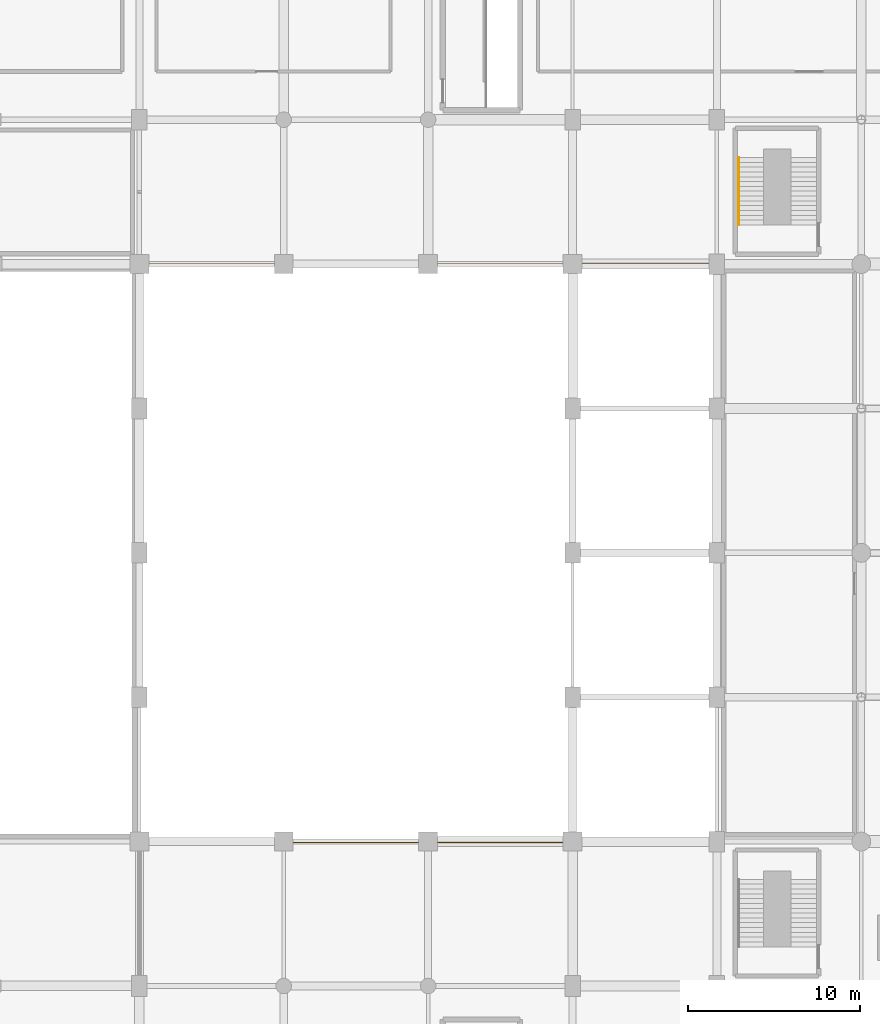
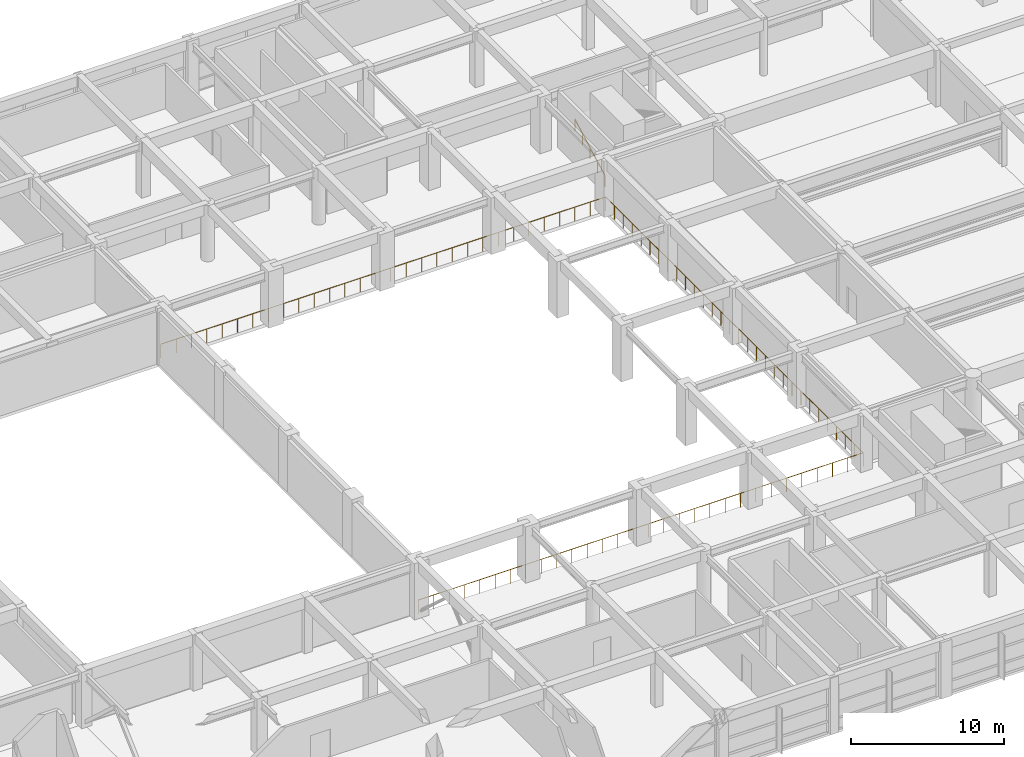
# One storey, part 52 of 56: 2 railings.
"""IFC4 building model written with IfcOpenShell, lengths in metres."""

from ifc_helpers import new_model, si_unit, direction, frame, origin, origin_2d, place, context, subcontext, project, spatial, circle, extrude, material, type_object, element, save


model = new_model("IFC4")

# Units and contexts
model_context = context("Model", 3, precision=1e-05, world=origin(), true_north=direction((0.0, 1.0)))
body_context = subcontext(model_context, "Body", "Model", "MODEL_VIEW")
ifc_project = project(units=[si_unit("LENGTHUNIT", "METRE"), si_unit("AREAUNIT", "SQUARE_METRE"), si_unit("VOLUMEUNIT", "CUBIC_METRE"), si_unit("PLANEANGLEUNIT", "RADIAN"), si_unit("MASSUNIT", "GRAM", prefix="KILO")], contexts=[model_context])

# Site, building, storey
site_placement = place(None, origin())
site = spatial("IfcSite", under=ifc_project, at=site_placement, CompositionType="ELEMENT")
building_placement = place(site_placement, origin())
building = spatial("IfcBuilding", under=site, at=building_placement, Name="Xuanlan Plaza Opera House", CompositionType="ELEMENT")
storey_placement = place(building_placement, frame((0.0, 0.0, 18.89990234375)))
storey = spatial("IfcBuildingStorey", under=building, at=storey_placement, Name="L04", CompositionType="ELEMENT", Elevation=18.89990234375)

# Railings
ifc_material_1 = material(Name="Stainless Steel S30408 and Laminated Glass", Category="steel")
railing_type_1 = type_object("IfcRailingType", Name="INT-RL-GR03", PredefinedType="GUARDRAIL", material=ifc_material_1)
railing_1_placement = place(storey_placement, frame((67.25, 41.949951171875, 0.0)))
element("IfcRailing", 1, at=railing_1_placement, inside=storey, type_object=railing_type_1, Name="Auditorium Bowl Balcony Guardrail L04", PredefinedType="GUARDRAIL", context=body_context, shape_type="SweptSolid", body=[
    extrude(circle(Radius=0.02392578125, at=origin_2d()), frame((0.0, 0.0, 1.09619140625), z_axis=(1.0, 0.0, 0.0), x_axis=(0.0, 1.0, 0.0)), (0.0, 0.0, 1.0), 33.60009765625),
    extrude(circle(Radius=0.02392578125, at=origin_2d()), frame((33.60009765625, 0.0, 1.09619140625), z_axis=(0.0, 1.0, 0.0), x_axis=(-1.0, 0.0, 0.0)), (0.0, 0.0, 1.0), 33.699951171875),
    extrude(circle(Radius=0.02392578125, at=origin_2d()), frame((33.60009765625, 33.699951171875, 1.09619140625), z_axis=(-1.0, 0.0, 0.0), x_axis=(0.0, -1.0, 0.0)), (0.0, 0.0, 1.0), 33.60009765625),
    extrude(circle(Radius=0.02099609375, at=origin_2d()), origin(), (0.0, 0.0, 1.0), 1.072021484375),
    extrude(circle(Radius=0.02099609375, at=origin_2d()), frame((1.15869140625, 0.0, 0.0)), (0.0, 0.0, 1.0), 1.072021484375),
    extrude(circle(Radius=0.02099609375, at=origin_2d()), frame((2.317138671875, 0.0, 0.0)), (0.0, 0.0, 1.0), 1.072021484375),
    extrude(circle(Radius=0.02099609375, at=origin_2d()), frame((3.475830078125, 0.0, 0.0)), (0.0, 0.0, 1.0), 1.072021484375),
    extrude(circle(Radius=0.02099609375, at=origin_2d()), frame((4.634521484375, 0.0, 0.0)), (0.0, 0.0, 1.0), 1.072021484375),
    extrude(circle(Radius=0.02099609375, at=origin_2d()), frame((5.793212890625, 0.0, 0.0)), (0.0, 0.0, 1.0), 1.072021484375),
    extrude(circle(Radius=0.02099609375, at=origin_2d()), frame((6.95166015625, 0.0, 0.0)), (0.0, 0.0, 1.0), 1.072021484375),
    extrude(circle(Radius=0.02099609375, at=origin_2d()), frame((8.1103515625, 0.0, 0.0)), (0.0, 0.0, 1.0), 1.072021484375),
    extrude(circle(Radius=0.02099609375, at=origin_2d()), frame((9.26904296875, 0.0, 0.0)), (0.0, 0.0, 1.0), 1.072021484375),
    extrude(circle(Radius=0.02099609375, at=origin_2d()), frame((10.427734375, 0.0, 0.0)), (0.0, 0.0, 1.0), 1.072021484375),
    extrude(circle(Radius=0.02099609375, at=origin_2d()), frame((11.586181640625, 0.0, 0.0)), (0.0, 0.0, 1.0), 1.072021484375),
    extrude(circle(Radius=0.02099609375, at=origin_2d()), frame((12.744873046875, 0.0, 0.0)), (0.0, 0.0, 1.0), 1.072021484375),
    extrude(circle(Radius=0.02099609375, at=origin_2d()), frame((13.903564453125, 0.0, 0.0)), (0.0, 0.0, 1.0), 1.072021484375),
    extrude(circle(Radius=0.02099609375, at=origin_2d()), frame((15.06201171875, 0.0, 0.0)), (0.0, 0.0, 1.0), 1.072021484375),
    extrude(circle(Radius=0.02099609375, at=origin_2d()), frame((16.220703125, 0.0, 0.0)), (0.0, 0.0, 1.0), 1.072021484375),
    extrude(circle(Radius=0.02099609375, at=origin_2d()), frame((17.37939453125, 0.0, 0.0)), (0.0, 0.0, 1.0), 1.072021484375),
    extrude(circle(Radius=0.02099609375, at=origin_2d()), frame((18.5380859375, 0.0, 0.0)), (0.0, 0.0, 1.0), 1.072021484375),
    extrude(circle(Radius=0.02099609375, at=origin_2d()), frame((19.696533203125, 0.0, 0.0)), (0.0, 0.0, 1.0), 1.072021484375),
    extrude(circle(Radius=0.02099609375, at=origin_2d()), frame((20.855224609375, 0.0, 0.0)), (0.0, 0.0, 1.0), 1.072021484375),
    extrude(circle(Radius=0.02099609375, at=origin_2d()), frame((22.013916015625, 0.0, 0.0)), (0.0, 0.0, 1.0), 1.072021484375),
    extrude(circle(Radius=0.02099609375, at=origin_2d()), frame((23.17236328125, 0.0, 0.0)), (0.0, 0.0, 1.0), 1.072021484375),
    extrude(circle(Radius=0.02099609375, at=origin_2d()), frame((24.3310546875, 0.0, 0.0)), (0.0, 0.0, 1.0), 1.072021484375),
    extrude(circle(Radius=0.02099609375, at=origin_2d()), frame((25.48974609375, 0.0, 0.0)), (0.0, 0.0, 1.0), 1.072021484375),
    extrude(circle(Radius=0.02099609375, at=origin_2d()), frame((26.6484375, 0.0, 0.0)), (0.0, 0.0, 1.0), 1.072021484375),
    extrude(circle(Radius=0.02099609375, at=origin_2d()), frame((27.806884765625, 0.0, 0.0)), (0.0, 0.0, 1.0), 1.072021484375),
    extrude(circle(Radius=0.02099609375, at=origin_2d()), frame((28.965576171875, 0.0, 0.0)), (0.0, 0.0, 1.0), 1.072021484375),
    extrude(circle(Radius=0.02099609375, at=origin_2d()), frame((30.124267578125, 0.0, 0.0)), (0.0, 0.0, 1.0), 1.072021484375),
    extrude(circle(Radius=0.02099609375, at=origin_2d()), frame((31.282958984375, 0.0, 0.0)), (0.0, 0.0, 1.0), 1.072021484375),
    extrude(circle(Radius=0.02099609375, at=origin_2d()), frame((32.44140625, 0.0, 0.0)), (0.0, 0.0, 1.0), 1.072021484375),
    extrude(circle(Radius=0.02099609375, at=origin_2d()), frame((33.60009765625, 0.0, 0.0)), (0.0, 0.0, 1.0), 1.072021484375),
    extrude(circle(Radius=0.02099609375, at=origin_2d()), frame((33.60009765625, 1.162109375, 0.0)), (0.0, 0.0, 1.0), 1.072021484375),
    extrude(circle(Radius=0.02099609375, at=origin_2d()), frame((33.60009765625, 2.32421875, 0.0)), (0.0, 0.0, 1.0), 1.072021484375),
    extrude(circle(Radius=0.02099609375, at=origin_2d()), frame((33.60009765625, 3.486083984375, 0.0)), (0.0, 0.0, 1.0), 1.072021484375),
    extrude(circle(Radius=0.02099609375, at=origin_2d()), frame((33.60009765625, 4.648193359375, 0.0)), (0.0, 0.0, 1.0), 1.072021484375),
    extrude(circle(Radius=0.02099609375, at=origin_2d()), frame((33.60009765625, 5.810302734375, 0.0)), (0.0, 0.0, 1.0), 1.072021484375),
    extrude(circle(Radius=0.02099609375, at=origin_2d()), frame((33.60009765625, 6.972412109375, 0.0)), (0.0, 0.0, 1.0), 1.072021484375),
    extrude(circle(Radius=0.02099609375, at=origin_2d()), frame((33.60009765625, 8.134521484375, 0.0)), (0.0, 0.0, 1.0), 1.072021484375),
    extrude(circle(Radius=0.02099609375, at=origin_2d()), frame((33.60009765625, 9.296630859375, 0.0)), (0.0, 0.0, 1.0), 1.072021484375),
    extrude(circle(Radius=0.02099609375, at=origin_2d()), frame((33.60009765625, 10.45849609375, 0.0)), (0.0, 0.0, 1.0), 1.072021484375),
    extrude(circle(Radius=0.02099609375, at=origin_2d()), frame((33.60009765625, 11.62060546875, 0.0)), (0.0, 0.0, 1.0), 1.072021484375),
    extrude(circle(Radius=0.02099609375, at=origin_2d()), frame((33.60009765625, 12.78271484375, 0.0)), (0.0, 0.0, 1.0), 1.072021484375),
    extrude(circle(Radius=0.02099609375, at=origin_2d()), frame((33.60009765625, 13.94482421875, 0.0)), (0.0, 0.0, 1.0), 1.072021484375),
    extrude(circle(Radius=0.02099609375, at=origin_2d()), frame((33.60009765625, 15.10693359375, 0.0)), (0.0, 0.0, 1.0), 1.072021484375),
    extrude(circle(Radius=0.02099609375, at=origin_2d()), frame((33.60009765625, 16.26904296875, 0.0)), (0.0, 0.0, 1.0), 1.072021484375),
    extrude(circle(Radius=0.02099609375, at=origin_2d()), frame((33.60009765625, 17.430908203125, 0.0)), (0.0, 0.0, 1.0), 1.072021484375),
    extrude(circle(Radius=0.02099609375, at=origin_2d()), frame((33.60009765625, 18.593017578125, 0.0)), (0.0, 0.0, 1.0), 1.072021484375),
    extrude(circle(Radius=0.02099609375, at=origin_2d()), frame((33.60009765625, 19.755126953125, 0.0)), (0.0, 0.0, 1.0), 1.072021484375),
    extrude(circle(Radius=0.02099609375, at=origin_2d()), frame((33.60009765625, 20.917236328125, 0.0)), (0.0, 0.0, 1.0), 1.072021484375),
    extrude(circle(Radius=0.02099609375, at=origin_2d()), frame((33.60009765625, 22.079345703125, 0.0)), (0.0, 0.0, 1.0), 1.072021484375),
    extrude(circle(Radius=0.02099609375, at=origin_2d()), frame((33.60009765625, 23.241455078125, 0.0)), (0.0, 0.0, 1.0), 1.072021484375),
    extrude(circle(Radius=0.02099609375, at=origin_2d()), frame((33.60009765625, 24.4033203125, 0.0)), (0.0, 0.0, 1.0), 1.072021484375),
    extrude(circle(Radius=0.02099609375, at=origin_2d()), frame((33.60009765625, 25.5654296875, 0.0)), (0.0, 0.0, 1.0), 1.072021484375),
    extrude(circle(Radius=0.02099609375, at=origin_2d()), frame((33.60009765625, 26.7275390625, 0.0)), (0.0, 0.0, 1.0), 1.072021484375),
    extrude(circle(Radius=0.02099609375, at=origin_2d()), frame((33.60009765625, 27.8896484375, 0.0)), (0.0, 0.0, 1.0), 1.072021484375),
    extrude(circle(Radius=0.02099609375, at=origin_2d()), frame((33.60009765625, 29.0517578125, 0.0)), (0.0, 0.0, 1.0), 1.072021484375),
    extrude(circle(Radius=0.02099609375, at=origin_2d()), frame((33.60009765625, 30.2138671875, 0.0)), (0.0, 0.0, 1.0), 1.072021484375),
    extrude(circle(Radius=0.02099609375, at=origin_2d()), frame((33.60009765625, 31.375732421875, 0.0)), (0.0, 0.0, 1.0), 1.072021484375),
    extrude(circle(Radius=0.02099609375, at=origin_2d()), frame((33.60009765625, 32.537841796875, 0.0)), (0.0, 0.0, 1.0), 1.072021484375),
    extrude(circle(Radius=0.02099609375, at=origin_2d()), frame((33.60009765625, 33.699951171875, 0.0)), (0.0, 0.0, 1.0), 1.072021484375),
    extrude(circle(Radius=0.02099609375, at=origin_2d()), frame((32.44140625, 33.699951171875, 0.0)), (0.0, 0.0, 1.0), 1.072021484375),
    extrude(circle(Radius=0.02099609375, at=origin_2d()), frame((31.282958984375, 33.699951171875, 0.0)), (0.0, 0.0, 1.0), 1.072021484375),
    extrude(circle(Radius=0.02099609375, at=origin_2d()), frame((30.124267578125, 33.699951171875, 0.0)), (0.0, 0.0, 1.0), 1.072021484375),
    extrude(circle(Radius=0.02099609375, at=origin_2d()), frame((28.965576171875, 33.699951171875, 0.0)), (0.0, 0.0, 1.0), 1.072021484375),
    extrude(circle(Radius=0.02099609375, at=origin_2d()), frame((27.806884765625, 33.699951171875, 0.0)), (0.0, 0.0, 1.0), 1.072021484375),
    extrude(circle(Radius=0.02099609375, at=origin_2d()), frame((26.6484375, 33.699951171875, 0.0)), (0.0, 0.0, 1.0), 1.072021484375),
    extrude(circle(Radius=0.02099609375, at=origin_2d()), frame((25.48974609375, 33.699951171875, 0.0)), (0.0, 0.0, 1.0), 1.072021484375),
    extrude(circle(Radius=0.02099609375, at=origin_2d()), frame((24.3310546875, 33.699951171875, 0.0)), (0.0, 0.0, 1.0), 1.072021484375),
    extrude(circle(Radius=0.02099609375, at=origin_2d()), frame((23.17236328125, 33.699951171875, 0.0)), (0.0, 0.0, 1.0), 1.072021484375),
    extrude(circle(Radius=0.02099609375, at=origin_2d()), frame((22.013916015625, 33.699951171875, 0.0)), (0.0, 0.0, 1.0), 1.072021484375),
    extrude(circle(Radius=0.02099609375, at=origin_2d()), frame((20.855224609375, 33.699951171875, 0.0)), (0.0, 0.0, 1.0), 1.072021484375),
    extrude(circle(Radius=0.02099609375, at=origin_2d()), frame((19.696533203125, 33.699951171875, 0.0)), (0.0, 0.0, 1.0), 1.072021484375),
    extrude(circle(Radius=0.02099609375, at=origin_2d()), frame((18.5380859375, 33.699951171875, 0.0)), (0.0, 0.0, 1.0), 1.072021484375),
    extrude(circle(Radius=0.02099609375, at=origin_2d()), frame((17.37939453125, 33.699951171875, 0.0)), (0.0, 0.0, 1.0), 1.072021484375),
    extrude(circle(Radius=0.02099609375, at=origin_2d()), frame((16.220703125, 33.699951171875, 0.0)), (0.0, 0.0, 1.0), 1.072021484375),
    extrude(circle(Radius=0.02099609375, at=origin_2d()), frame((15.06201171875, 33.699951171875, 0.0)), (0.0, 0.0, 1.0), 1.072021484375),
    extrude(circle(Radius=0.02099609375, at=origin_2d()), frame((13.903564453125, 33.699951171875, 0.0)), (0.0, 0.0, 1.0), 1.072021484375),
    extrude(circle(Radius=0.02099609375, at=origin_2d()), frame((12.744873046875, 33.699951171875, 0.0)), (0.0, 0.0, 1.0), 1.072021484375),
    extrude(circle(Radius=0.02099609375, at=origin_2d()), frame((11.586181640625, 33.699951171875, 0.0)), (0.0, 0.0, 1.0), 1.072021484375),
    extrude(circle(Radius=0.02099609375, at=origin_2d()), frame((10.427734375, 33.699951171875, 0.0)), (0.0, 0.0, 1.0), 1.072021484375),
    extrude(circle(Radius=0.02099609375, at=origin_2d()), frame((9.26904296875, 33.699951171875, 0.0)), (0.0, 0.0, 1.0), 1.072021484375),
    extrude(circle(Radius=0.02099609375, at=origin_2d()), frame((8.1103515625, 33.699951171875, 0.0)), (0.0, 0.0, 1.0), 1.072021484375),
    extrude(circle(Radius=0.02099609375, at=origin_2d()), frame((6.95166015625, 33.699951171875, 0.0)), (0.0, 0.0, 1.0), 1.072021484375),
    extrude(circle(Radius=0.02099609375, at=origin_2d()), frame((5.793212890625, 33.699951171875, 0.0)), (0.0, 0.0, 1.0), 1.072021484375),
    extrude(circle(Radius=0.02099609375, at=origin_2d()), frame((4.634521484375, 33.699951171875, 0.0)), (0.0, 0.0, 1.0), 1.072021484375),
    extrude(circle(Radius=0.02099609375, at=origin_2d()), frame((3.475830078125, 33.699951171875, 0.0)), (0.0, 0.0, 1.0), 1.072021484375),
    extrude(circle(Radius=0.02099609375, at=origin_2d()), frame((2.317138671875, 33.699951171875, 0.0)), (0.0, 0.0, 1.0), 1.072021484375),
    extrude(circle(Radius=0.02099609375, at=origin_2d()), frame((1.15869140625, 33.699951171875, 0.0)), (0.0, 0.0, 1.0), 1.072021484375),
    extrude(circle(Radius=0.02099609375, at=origin_2d()), frame((0.0, 33.699951171875, 0.0)), (0.0, 0.0, 1.0), 1.072021484375),
])
ifc_material_2 = material(Name="Stainless Steel S30408", Category="steel")
railing_type_2 = type_object("IfcRailingType", Name="INT-RL-HR02", PredefinedType="HANDRAIL", material=ifc_material_2)
railing_2_placement = place(storey_placement, frame((102.080078125, 77.8798828125, 0.150146484375)))
element("IfcRailing", 2, at=railing_2_placement, inside=storey, type_object=railing_type_2, Name="Feature Stair Handrail ST-F2 L04 Flight 1", PredefinedType="HANDRAIL", context=body_context, shape_type="SweptSolid", body=[
    extrude(circle(Radius=0.02392578125, at=origin_2d()), frame((0.0, 0.0, 0.89599609375), z_axis=(0.0, 0.881502004561, 0.472180279083), x_axis=(-1.0, 0.0, 0.0)), (0.0, 0.0, 1.0), 4.447265625),
    extrude(circle(Radius=0.02099609375, at=origin_2d()), origin(), (0.0, 0.0, 1.0), 0.871826171875),
    extrude(circle(Radius=0.02099609375, at=origin_2d()), frame((0.0, 0.97998046875, 0.52490234375)), (0.0, 0.0, 1.0), 0.871826171875),
    extrude(circle(Radius=0.02099609375, at=origin_2d()), frame((0.0, 1.9599609375, 1.0498046875)), (0.0, 0.0, 1.0), 0.871826171875),
    extrude(circle(Radius=0.02099609375, at=origin_2d()), frame((0.0, 2.940185546875, 1.574951171875)), (0.0, 0.0, 1.0), 0.871826171875),
    extrude(circle(Radius=0.02099609375, at=origin_2d()), frame((0.0, 3.920166015625, 2.099853515625)), (0.0, 0.0, 1.0), 0.871826171875),
])

save(model, "model.ifc")
